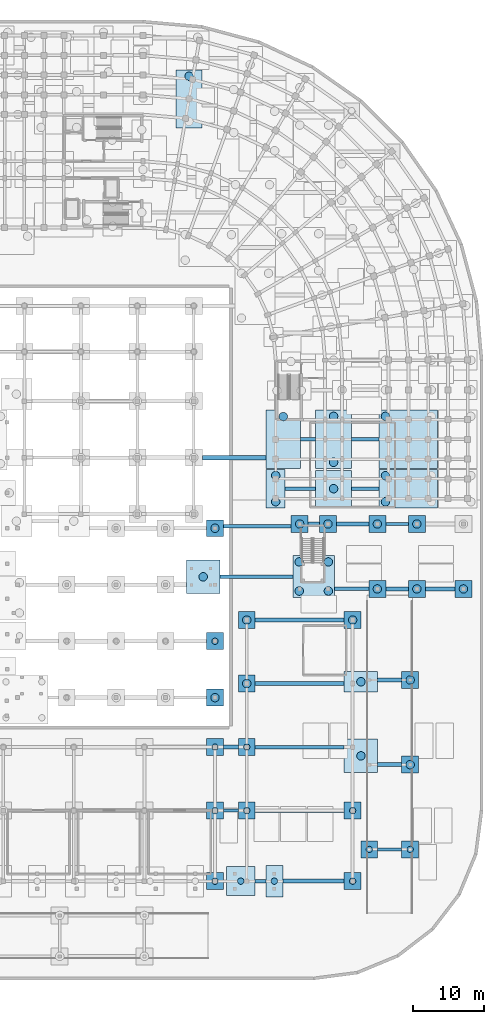
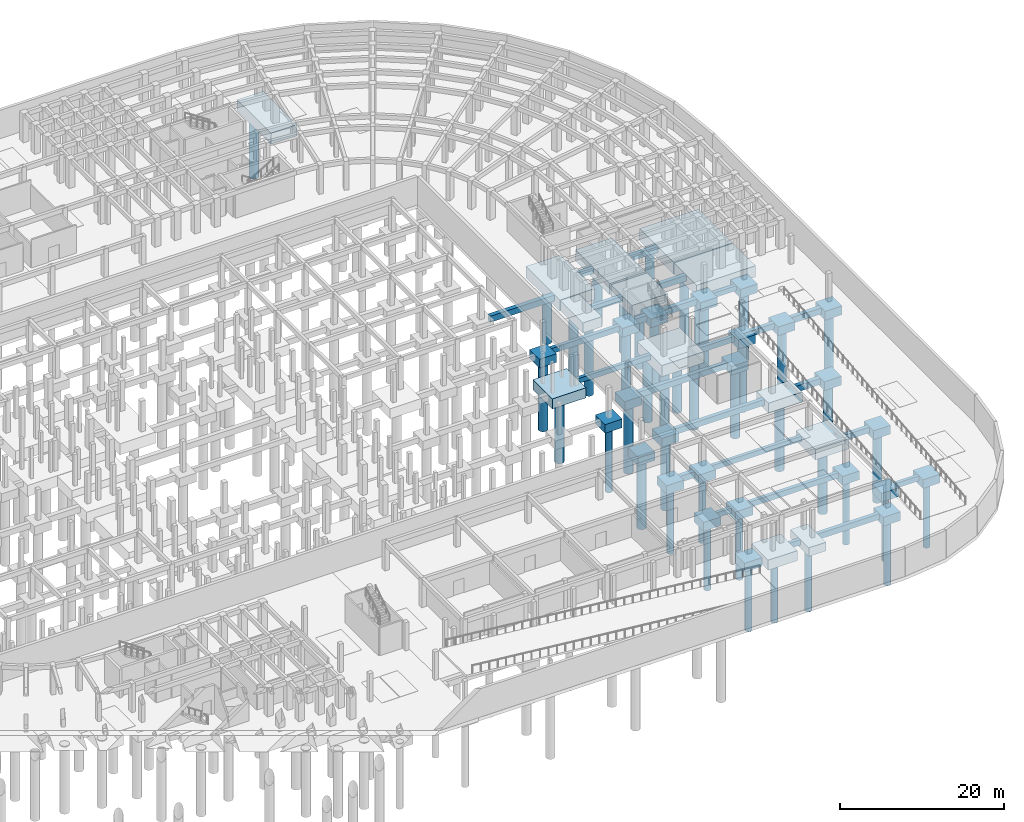
# One storey, part 10 of 53: 61 footings, 43 piles.
"""IFC4 building model written with IfcOpenShell, lengths in metres."""

from ifc_helpers import new_model, si_unit, direction, frame, origin, origin_2d, place, context, subcontext, project, spatial, rectangle, circle, extrude, material, material_profile, profile_set, type_object, element, save


model = new_model("IFC4")

# Units and contexts
model_context = context("Model", 3, precision=1e-05, world=origin(), true_north=direction((0.0, 1.0)))
body_context = subcontext(model_context, "Body", "Model", "MODEL_VIEW")
ifc_project = project(units=[si_unit("LENGTHUNIT", "METRE"), si_unit("AREAUNIT", "SQUARE_METRE"), si_unit("VOLUMEUNIT", "CUBIC_METRE"), si_unit("PLANEANGLEUNIT", "RADIAN"), si_unit("MASSUNIT", "GRAM", prefix="KILO")], contexts=[model_context])

# Site, building, storey
site_placement = place(None, origin())
site = spatial("IfcSite", under=ifc_project, at=site_placement, CompositionType="ELEMENT")
building_placement = place(site_placement, origin())
building = spatial("IfcBuilding", under=site, at=building_placement, Name="Kiranvali Square Residences", CompositionType="ELEMENT")
storey_placement = place(building_placement, frame((0.0, 0.0, -4.5)))
storey = spatial("IfcBuildingStorey", under=building, at=storey_placement, Name="B1", CompositionType="ELEMENT", Elevation=-4.5)

# Footings
ifc_material = material(Name="Concrete M40 (40 MPa)", Category="concrete")
footing_type_1 = type_object("IfcFootingType", Name="FTG-PILE_CAP-240x240x130", PredefinedType="PILE_CAP", material=ifc_material)
for number, where, z_axis, x_axis, name in (
    (1, (130.0, 14.0, -1.7998046875), (0.0, 0.0, 1.0), (1.0, 0.0, 0.0), "B1 pile cap 036"),
    (2, (149.5, 14.0, -1.7998046875), (0.0, 0.0, 1.0), (1.0, 0.0, 0.0), "B1 pile cap 037"),
    (3, (151.85009765625, 18.5, -1.7998046875), (0.0, 0.0, 1.0), (1.0, 0.0, 0.0), "B1 pile cap 043"),
    (4, (157.64990234375, 18.5, -1.7998046875), (0.0, 0.0, 1.0), (1.0, 0.0, 0.0), "B1 pile cap 044"),
    (5, (130.0, 24.0, -1.7998046875), (0.0, 0.0, 1.0), (1.0, 0.0, 0.0), "B1 pile cap 057"),
    (6, (134.5, 24.0, -1.7998046875), (0.0, 0.0, 1.0), (1.0, 0.0, 0.0), "B1 pile cap 058"),
    (7, (149.5, 24.0, -1.7998046875), (0.0, 0.0, 1.0), (1.0, 0.0, 0.0), "B1 pile cap 059"),
    (8, (157.64990234375, 30.5, -1.7998046875), (0.0, 0.0, 1.0), (1.0, 0.0, 0.0), "B1 pile cap 072"),
    (9, (130.0, 33.0, -1.7998046875), (0.0, 0.0, 1.0), (1.0, 0.0, 0.0), "B1 pile cap 079"),
    (10, (134.5, 33.0, -1.7998046875), (0.0, 0.0, 1.0), (1.0, 0.0, 0.0), "B1 pile cap 080"),
    (11, (130.0, 40.0, -1.7998046875), (0.0, 0.0, 1.0), (1.0, 0.0, 0.0), "B1 pile cap 099"),
    (12, (134.5, 42.0, -1.7998046875), (0.0, 0.0, 1.0), (1.0, 0.0, 0.0), "B1 pile cap 102"),
    (13, (157.64990234375, 42.5, -1.7998046875), (0.0, 0.0, 1.0), (1.0, 0.0, 0.0), "B1 pile cap 104"),
    (14, (130.0, 48.0, -1.7998046875), (0.0, 0.0, 1.0), (1.0, 0.0, 0.0), "B1 pile cap 113"),
    (15, (134.5, 51.0, -1.7998046875), (0.0, 0.0, 1.0), (1.0, 0.0, 0.0), "B1 pile cap 125"),
    (16, (149.5, 51.0, -1.7998046875), (0.0, 0.0, 1.0), (1.0, 0.0, 0.0), "B1 pile cap 126"),
    (17, (153.0, 55.39990234375, -1.7998046875), (0.0, 0.0, 1.0), (1.0, 0.0, 0.0), "B1 pile cap 137"),
    (18, (158.60009765625, 55.39990234375, -1.7998046875), (0.0, 0.0, 1.0), (1.0, 0.0, 0.0), "B1 pile cap 138"),
    (19, (165.199951171875, 55.39990234375, -1.7998046875), (0.0, 0.0, 1.0), (1.0, 0.0, 0.0), "B1 pile cap 139"),
    (20, (130.0, 64.0, -1.7998046875), (0.0, 0.0, 1.0), (1.0, 0.0, 0.0), "B1 pile cap 164"),
    (21, (142.0, 64.60009765625, -1.7998046875), (0.0, 0.0, 1.0), (1.0, 0.0, 0.0), "B1 pile cap 165"),
    (22, (146.0, 64.60009765625, -1.7998046875), (0.0, 0.0, 1.0), (1.0, 0.0, 0.0), "B1 pile cap 166"),
    (23, (153.0, 64.60009765625, -1.7998046875), (0.0, 0.0, 1.0), (1.0, 0.0, 0.0), "B1 pile cap 167"),
    (24, (158.60009765625, 64.60009765625, -1.7998046875), (0.0, 0.0, 1.0), (1.0, 0.0, 0.0), "B1 pile cap 168"),
):
    element("IfcFooting", number, at=place(storey_placement, frame(where, z_axis=z_axis, x_axis=x_axis)), inside=storey, type_object=footing_type_1, Name=name, PredefinedType="PILE_CAP", context=body_context, shape_type="SweptSolid", body=[
        extrude(rectangle(XDim=2.39990234375, YDim=2.39990234375, at=origin_2d()), origin(), (0.0, 0.0, 1.0), 1.300048828125),
    ])
footing_type_2 = type_object("IfcFootingType", Name="FTG-PILE_CAP-410x410x150", PredefinedType="PILE_CAP", material=ifc_material)
footing_1_placement = place(storey_placement, frame((133.64990234375, 14.0, -2.0), z_axis=(0.0, 0.0, 1.0), x_axis=(1.0, 0.0, 0.0)))
element("IfcFooting", 25, at=footing_1_placement, inside=storey, type_object=footing_type_2, Name="B1 pile cap 032", PredefinedType="PILE_CAP", context=body_context, shape_type="SweptSolid", body=[
    extrude(rectangle(XDim=4.10009765625, YDim=4.10009765625, at=origin_2d()), origin(), (0.0, 0.0, 1.0), 1.5),
])
footing_type_3 = type_object("IfcFootingType", Name="FTG-PILE_CAP-450x240x130", PredefinedType="PILE_CAP", material=ifc_material)
footing_2_placement = place(storey_placement, frame((138.39990234375, 14.0, -1.7998046875), z_axis=(0.0, 0.0, 1.0), x_axis=(0.0, 1.0, 0.0)))
element("IfcFooting", 26, at=footing_2_placement, inside=storey, type_object=footing_type_3, Name="B1 pile cap 033", PredefinedType="PILE_CAP", context=body_context, shape_type="SweptSolid", body=[
    extrude(rectangle(XDim=4.5, YDim=2.39990234375, at=origin_2d()), origin(), (0.0, 0.0, 1.0), 1.300048828125),
])
footing_type_4 = type_object("IfcFootingType", Name="FTG-PILE_CAP-473x473x150", PredefinedType="PILE_CAP", material=ifc_material)
footing_3_placement = place(storey_placement, frame((128.324951171875, 57.114990234375, -2.0), z_axis=(0.0, 0.0, 1.0), x_axis=(1.0, 0.0, 0.0)))
element("IfcFooting", 27, at=footing_3_placement, inside=storey, type_object=footing_type_4, Name="B1 pile cap 140", PredefinedType="PILE_CAP", context=body_context, shape_type="SweptSolid", body=[
    extrude(rectangle(XDim=4.72998046875, YDim=4.72998046875, at=origin_2d()), origin(), (0.0, 0.0, 1.0), 1.5),
])
footing_type_5 = type_object("IfcFootingType", Name="FTG-PILE_CAP-475x290x150", PredefinedType="PILE_CAP", material=ifc_material)
footing_4_placement = place(storey_placement, frame((150.675048828125, 42.25, -2.0), z_axis=(0.0, 0.0, 1.0), x_axis=(1.0, 0.0, 0.0)))
element("IfcFooting", 28, at=footing_4_placement, inside=storey, type_object=footing_type_5, Name="B1 pile cap 103", PredefinedType="PILE_CAP", context=body_context, shape_type="SweptSolid", body=[
    extrude(rectangle(XDim=4.75, YDim=2.89990234375, at=origin_2d()), origin(), (0.0, 0.0, 1.0), 1.5),
])
footing_type_6 = type_object("IfcFootingType", Name="FTG-PILE_CAP-475x475x150", PredefinedType="PILE_CAP", material=ifc_material)
footing_5_placement = place(storey_placement, frame((150.675048828125, 31.75, -2.0), z_axis=(0.0, 0.0, 1.0), x_axis=(1.0, 0.0, 0.0)))
element("IfcFooting", 29, at=footing_5_placement, inside=storey, type_object=footing_type_6, Name="B1 pile cap 071", PredefinedType="PILE_CAP", context=body_context, shape_type="SweptSolid", body=[
    extrude(rectangle(XDim=4.75, YDim=4.75, at=origin_2d()), origin(), (0.0, 0.0, 1.0), 1.5),
])
footing_type_7 = type_object("IfcFootingType", Name="FTG-PILE_CAP-510x510x165", PredefinedType="PILE_CAP", material=ifc_material)
footing_6_placement = place(storey_placement, frame((146.800048828125, 69.60009765625, -2.14990234375), z_axis=(0.0, 0.0, 1.0), x_axis=(1.0, 0.0, 0.0)))
element("IfcFooting", 30, at=footing_6_placement, inside=storey, type_object=footing_type_7, Name="B1 pile cap 176", PredefinedType="PILE_CAP", context=body_context, shape_type="SweptSolid", body=[
    extrude(rectangle(XDim=5.10009765625, YDim=5.10009765625, at=origin_2d()), origin(), (0.0, 0.0, 1.0), 1.64990234375),
])
footing_type_8 = type_object("IfcFootingType", Name="FTG-PILE_CAP-550x270x150", PredefinedType="PILE_CAP", material=ifc_material)
footing_7_placement = place(storey_placement, frame((138.60009765625, 69.60009765625, -2.0), z_axis=(0.0, 0.0, 1.0), x_axis=(0.0, 1.0, 0.0)))
element("IfcFooting", 31, at=footing_7_placement, inside=storey, type_object=footing_type_8, Name="B1 pile cap 175", PredefinedType="PILE_CAP", context=body_context, shape_type="SweptSolid", body=[
    extrude(rectangle(XDim=5.5, YDim=2.699951171875, at=origin_2d()), origin(), (0.0, 0.0, 1.0), 1.5),
])
footing_type_9 = type_object("IfcFootingType", Name="FTG-PILE_CAP-593x593x165", PredefinedType="PILE_CAP", material=ifc_material)
footing_8_placement = place(storey_placement, frame((144.0, 57.1650390625, -2.14990234375), z_axis=(0.0, 0.0, 1.0), x_axis=(1.0, 0.0, 0.0)))
element("IfcFooting", 32, at=footing_8_placement, inside=storey, type_object=footing_type_9, Name="B1 pile cap 136", PredefinedType="PILE_CAP", context=body_context, shape_type="SweptSolid", body=[
    extrude(rectangle(XDim=5.929931640625, YDim=5.929931640625, at=origin_2d()), origin(), (0.0, 0.0, 1.0), 1.64990234375),
])
footing_type_10 = type_object("IfcFootingType", Name="FTG-PILE_CAP-821x367x165", PredefinedType="PILE_CAP", material=ifc_material)
footing_9_placement = place(storey_placement, frame((126.3291015625, 124.82861328125, -2.14990234375), z_axis=(0.0, 0.0, 1.0), x_axis=(0.0, 1.0, 0.0)))
element("IfcFooting", 33, at=footing_9_placement, inside=storey, type_object=footing_type_10, Name="B1 pile cap 330", PredefinedType="PILE_CAP", context=body_context, shape_type="SweptSolid", body=[
    extrude(rectangle(XDim=8.215087890625, YDim=3.672119140625, at=origin_2d()), origin(), (0.0, 0.0, 1.0), 1.64990234375),
])
footing_type_11 = type_object("IfcFootingType", Name="FTG-PILE_CAP-828x485x165", PredefinedType="PILE_CAP", material=ifc_material)
footing_10_placement = place(storey_placement, frame((139.675048828125, 76.58740234375, -2.14990234375), z_axis=(0.0, 0.0, 1.0), x_axis=(0.0, 1.0, 0.0)))
element("IfcFooting", 34, at=footing_10_placement, inside=storey, type_object=footing_type_11, Name="B1 pile cap 192", PredefinedType="PILE_CAP", context=body_context, shape_type="SweptSolid", body=[
    extrude(rectangle(XDim=8.27490234375, YDim=4.85009765625, at=origin_2d()), origin(), (0.0, 0.0, 1.0), 1.64990234375),
])
footing_type_12 = type_object("IfcFootingType", Name="FTG-PILE_CAP-830x510x165", PredefinedType="PILE_CAP", material=ifc_material)
footing_11_placement = place(storey_placement, frame((146.800048828125, 76.60009765625, -2.14990234375), z_axis=(0.0, 0.0, 1.0), x_axis=(0.0, 1.0, 0.0)))
element("IfcFooting", 35, at=footing_11_placement, inside=storey, type_object=footing_type_12, Name="B1 pile cap 193", PredefinedType="PILE_CAP", context=body_context, shape_type="SweptSolid", body=[
    extrude(rectangle(XDim=8.300048828125, YDim=5.10009765625, at=origin_2d()), origin(), (0.0, 0.0, 1.0), 1.64990234375),
])
footing_type_13 = type_object("IfcFootingType", Name="FTG-PILE_CAP-830x550x165", PredefinedType="PILE_CAP", material=ifc_material)
footing_12_placement = place(storey_placement, frame((157.39990234375, 69.60009765625, -2.14990234375), z_axis=(0.0, 0.0, 1.0), x_axis=(1.0, 0.0, 0.0)))
element("IfcFooting", 36, at=footing_12_placement, inside=storey, type_object=footing_type_13, Name="B1 pile cap 177", PredefinedType="PILE_CAP", context=body_context, shape_type="SweptSolid", body=[
    extrude(rectangle(XDim=8.300048828125, YDim=5.5, at=origin_2d()), origin(), (0.0, 0.0, 1.0), 1.64990234375),
])
footing_type_14 = type_object("IfcFootingType", Name="FTG-PILE_CAP-830x830x180", PredefinedType="PILE_CAP", material=ifc_material)
footing_13_placement = place(storey_placement, frame((157.39990234375, 76.60009765625, -2.2998046875), z_axis=(0.0, 0.0, 1.0), x_axis=(1.0, 0.0, 0.0)))
element("IfcFooting", 37, at=footing_13_placement, inside=storey, type_object=footing_type_14, Name="B1 pile cap 194", PredefinedType="PILE_CAP", context=body_context, shape_type="SweptSolid", body=[
    extrude(rectangle(XDim=8.300048828125, YDim=8.300048828125, at=origin_2d()), origin(), (0.0, 0.0, 1.0), 1.800048828125),
])
ifc_material_profile_1 = material_profile(ifc_material, rectangle(XDim=0.449951171875, YDim=0.75, at=origin_2d()), Name="GB 450x750")
ifc_profile_set_1 = profile_set([ifc_material_profile_1], Name="Concrete M40 (40 MPa)")
footing_type_15 = type_object("IfcFootingType", Name="GB-M40-450x750", PredefinedType="FOOTING_BEAM", material=ifc_profile_set_1)
footing_14_placement = place(storey_placement, frame((153.050048828125, 18.5, -0.875), z_axis=(1.0, 0.0, 0.0), x_axis=(0.0, 1.0, 0.0)))
element("IfcFooting", 38, at=footing_14_placement, inside=storey, type_object=footing_type_15, Name="Continuous foundation ground beam GB-036", PredefinedType="FOOTING_BEAM", context=body_context, shape_type="SweptSolid", body=[
    extrude(rectangle(XDim=0.449951171875, YDim=0.75, at=origin_2d()), origin(), (0.0, 0.0, 1.0), 3.39990234375),
])
footing_15_placement = place(storey_placement, frame((131.199951171875, 24.0, -0.875), z_axis=(1.0, 0.0, 0.0), x_axis=(0.0, 1.0, 0.0)))
element("IfcFooting", 39, at=footing_15_placement, inside=storey, type_object=footing_type_15, Name="Continuous foundation ground beam GB-048", PredefinedType="FOOTING_BEAM", context=body_context, shape_type="SweptSolid", body=[
    extrude(rectangle(XDim=0.449951171875, YDim=0.75, at=origin_2d()), origin(), (0.0, 0.0, 1.0), 2.10009765625),
])
footing_16_placement = place(storey_placement, frame((135.699951171875, 32.96240234375, -0.875), z_axis=(1.0, 0.0, 0.0), x_axis=(0.0, 1.0, 0.0)))
element("IfcFooting", 40, at=footing_16_placement, inside=storey, type_object=footing_type_15, Name="Continuous foundation ground beam GB-064", PredefinedType="FOOTING_BEAM", context=body_context, shape_type="SweptSolid", body=[
    extrude(rectangle(XDim=0.449951171875, YDim=0.75, at=origin_2d()), origin(), (0.0, 0.0, 1.0), 12.60009765625),
])
footing_17_placement = place(storey_placement, frame((130.68994140625, 57.114990234375, -0.875), z_axis=(1.0, 0.0, 0.0), x_axis=(0.0, 1.0, 0.0)))
element("IfcFooting", 41, at=footing_17_placement, inside=storey, type_object=footing_type_15, Name="Continuous foundation ground beam GB-108", PredefinedType="FOOTING_BEAM", context=body_context, shape_type="SweptSolid", body=[
    extrude(rectangle(XDim=0.449951171875, YDim=0.75, at=origin_2d()), origin(), (0.0, 0.0, 1.0), 10.344970703125),
])
footing_18_placement = place(storey_placement, frame((154.199951171875, 64.60009765625, -0.875), z_axis=(1.0, 0.0, 0.0), x_axis=(0.0, 1.0, 0.0)))
element("IfcFooting", 42, at=footing_18_placement, inside=storey, type_object=footing_type_15, Name="Continuous foundation ground beam GB-132", PredefinedType="FOOTING_BEAM", context=body_context, shape_type="SweptSolid", body=[
    extrude(rectangle(XDim=0.449951171875, YDim=0.75, at=origin_2d()), origin(), (0.0, 0.0, 1.0), 3.199951171875),
])
ifc_material_profile_2 = material_profile(ifc_material, rectangle(XDim=0.5, YDim=0.800048828125, at=origin_2d()), Name="GB 500x800")
ifc_profile_set_2 = profile_set([ifc_material_profile_2], Name="Concrete M40 (40 MPa)")
footing_type_16 = type_object("IfcFootingType", Name="GB-M40-500x800", PredefinedType="FOOTING_BEAM", material=ifc_profile_set_2)
footing_19_placement = place(storey_placement, frame((135.699951171875, 14.0, -0.89990234375), z_axis=(1.0, 0.0, 0.0), x_axis=(0.0, 1.0, 0.0)))
element("IfcFooting", 43, at=footing_19_placement, inside=storey, type_object=footing_type_16, Name="Continuous foundation ground beam GB-029", PredefinedType="FOOTING_BEAM", context=body_context, shape_type="SweptSolid", body=[
    extrude(rectangle(XDim=0.5, YDim=0.800048828125, at=origin_2d()), origin(), (0.0, 0.0, 1.0), 1.5),
])
footing_20_placement = place(storey_placement, frame((135.699951171875, 24.0, -0.89990234375), z_axis=(1.0, 0.0, 0.0), x_axis=(0.0, 1.0, 0.0)))
element("IfcFooting", 44, at=footing_20_placement, inside=storey, type_object=footing_type_16, Name="Continuous foundation ground beam GB-049", PredefinedType="FOOTING_BEAM", context=body_context, shape_type="SweptSolid", body=[
    extrude(rectangle(XDim=0.5, YDim=0.800048828125, at=origin_2d()), origin(), (0.0, 0.0, 1.0), 12.60009765625),
])
footing_21_placement = place(storey_placement, frame((146.965087890625, 55.39990234375, -0.89990234375), z_axis=(1.0, 0.0, 0.0), x_axis=(0.0, 1.0, 0.0)))
element("IfcFooting", 45, at=footing_21_placement, inside=storey, type_object=footing_type_16, Name="Continuous foundation ground beam GB-105", PredefinedType="FOOTING_BEAM", context=body_context, shape_type="SweptSolid", body=[
    extrude(rectangle(XDim=0.5, YDim=0.800048828125, at=origin_2d()), origin(), (0.0, 0.0, 1.0), 4.8349609375),
])
footing_22_placement = place(storey_placement, frame((131.199951171875, 64.300048828125, -0.89990234375), z_axis=(1.0, 0.0, 0.0), x_axis=(0.0, 1.0, 0.0)))
element("IfcFooting", 46, at=footing_22_placement, inside=storey, type_object=footing_type_16, Name="Continuous foundation ground beam GB-129", PredefinedType="FOOTING_BEAM", context=body_context, shape_type="SweptSolid", body=[
    extrude(rectangle(XDim=0.5, YDim=0.800048828125, at=origin_2d()), origin(), (0.0, 0.0, 1.0), 9.60009765625),
])
footing_23_placement = place(storey_placement, frame((139.949951171875, 69.60009765625, -0.89990234375), z_axis=(1.0, 0.0, 0.0), x_axis=(0.0, 1.0, 0.0)))
element("IfcFooting", 47, at=footing_23_placement, inside=storey, type_object=footing_type_16, Name="Continuous foundation ground beam GB-137", PredefinedType="FOOTING_BEAM", context=body_context, shape_type="SweptSolid", body=[
    extrude(rectangle(XDim=0.5, YDim=0.800048828125, at=origin_2d()), origin(), (0.0, 0.0, 1.0), 4.300048828125),
])
footing_24_placement = place(storey_placement, frame((142.10009765625, 76.58740234375, -0.89990234375), z_axis=(1.0, 0.0, 0.0), x_axis=(0.0, 1.0, 0.0)))
element("IfcFooting", 48, at=footing_24_placement, inside=storey, type_object=footing_type_16, Name="Continuous foundation ground beam GB-149", PredefinedType="FOOTING_BEAM", context=body_context, shape_type="SweptSolid", body=[
    extrude(rectangle(XDim=0.5, YDim=0.800048828125, at=origin_2d()), origin(), (0.0, 0.0, 1.0), 2.14990234375),
])
ifc_material_profile_3 = material_profile(ifc_material, rectangle(XDim=0.550048828125, YDim=0.85009765625, at=origin_2d()), Name="GB 550x850")
ifc_profile_set_3 = profile_set([ifc_material_profile_3], Name="Concrete M40 (40 MPa)")
footing_type_17 = type_object("IfcFootingType", Name="GB-M40-550x850", PredefinedType="FOOTING_BEAM", material=ifc_profile_set_3)
footing_25_placement = place(storey_placement, frame((139.60009765625, 14.0, -0.925048828125), z_axis=(1.0, 0.0, 0.0), x_axis=(0.0, 1.0, 0.0)))
element("IfcFooting", 49, at=footing_25_placement, inside=storey, type_object=footing_type_17, Name="Continuous foundation ground beam GB-030", PredefinedType="FOOTING_BEAM", context=body_context, shape_type="SweptSolid", body=[
    extrude(rectangle(XDim=0.550048828125, YDim=0.85009765625, at=origin_2d()), origin(), (0.0, 0.0, 1.0), 8.699951171875),
])
footing_26_placement = place(storey_placement, frame((153.050048828125, 30.53759765625, -0.925048828125), z_axis=(1.0, 0.0, 0.0), x_axis=(0.0, 1.0, 0.0)))
element("IfcFooting", 50, at=footing_26_placement, inside=storey, type_object=footing_type_17, Name="Continuous foundation ground beam GB-058", PredefinedType="FOOTING_BEAM", context=body_context, shape_type="SweptSolid", body=[
    extrude(rectangle(XDim=0.550048828125, YDim=0.85009765625, at=origin_2d()), origin(), (0.0, 0.0, 1.0), 3.39990234375),
])
for number, where, z_axis, x_axis, name in (
    (51, (135.699951171875, 42.0, -0.925048828125), (1.0, 0.0, 0.0), (0.0, 1.0, 0.0), "Continuous foundation ground beam GB-082"),
    (52, (135.699951171875, 51.0, -0.925048828125), (1.0, 0.0, 0.0), (0.0, 1.0, 0.0), "Continuous foundation ground beam GB-098"),
):
    element("IfcFooting", number, at=place(storey_placement, frame(where, z_axis=z_axis, x_axis=x_axis)), inside=storey, type_object=footing_type_17, Name=name, PredefinedType="FOOTING_BEAM", context=body_context, shape_type="SweptSolid", body=[
        extrude(rectangle(XDim=0.550048828125, YDim=0.85009765625, at=origin_2d()), origin(), (0.0, 0.0, 1.0), 12.60009765625),
    ])
footing_27_placement = place(storey_placement, frame((154.199951171875, 55.39990234375, -0.925048828125), z_axis=(1.0, 0.0, 0.0), x_axis=(0.0, 1.0, 0.0)))
element("IfcFooting", 53, at=footing_27_placement, inside=storey, type_object=footing_type_17, Name="Continuous foundation ground beam GB-106", PredefinedType="FOOTING_BEAM", context=body_context, shape_type="SweptSolid", body=[
    extrude(rectangle(XDim=0.550048828125, YDim=0.85009765625, at=origin_2d()), origin(), (0.0, 0.0, 1.0), 3.199951171875),
])
footing_28_placement = place(storey_placement, frame((143.199951171875, 64.60009765625, -0.925048828125), z_axis=(1.0, 0.0, 0.0), x_axis=(0.0, 1.0, 0.0)))
element("IfcFooting", 54, at=footing_28_placement, inside=storey, type_object=footing_type_17, Name="Continuous foundation ground beam GB-130", PredefinedType="FOOTING_BEAM", context=body_context, shape_type="SweptSolid", body=[
    extrude(rectangle(XDim=0.550048828125, YDim=0.85009765625, at=origin_2d()), origin(), (0.0, 0.0, 1.0), 1.60009765625),
])
for number, where, z_axis, x_axis, name in (
    (55, (149.35009765625, 69.60009765625, -0.925048828125), (1.0, 0.0, 0.0), (0.0, 1.0, 0.0), "Continuous foundation ground beam GB-138"),
    (56, (149.35009765625, 76.60009765625, -0.925048828125), (1.0, 0.0, 0.0), (0.0, 1.0, 0.0), "Continuous foundation ground beam GB-150"),
):
    element("IfcFooting", number, at=place(storey_placement, frame(where, z_axis=z_axis, x_axis=x_axis)), inside=storey, type_object=footing_type_17, Name=name, PredefinedType="FOOTING_BEAM", context=body_context, shape_type="SweptSolid", body=[
        extrude(rectangle(XDim=0.550048828125, YDim=0.85009765625, at=origin_2d()), origin(), (0.0, 0.0, 1.0), 3.89990234375),
    ])
ifc_material_profile_4 = material_profile(ifc_material, rectangle(XDim=0.60009765625, YDim=0.89990234375, at=origin_2d()), Name="GB 600x900")
ifc_profile_set_4 = profile_set([ifc_material_profile_4], Name="Concrete M40 (40 MPa)")
footing_type_18 = type_object("IfcFootingType", Name="GB-M40-600x900", PredefinedType="FOOTING_BEAM", material=ifc_profile_set_4)
footing_29_placement = place(storey_placement, frame((131.199951171875, 33.0, -0.949951171875), z_axis=(1.0, 0.0, 0.0), x_axis=(0.0, 1.0, 0.0)))
element("IfcFooting", 57, at=footing_29_placement, inside=storey, type_object=footing_type_18, Name="Continuous foundation ground beam GB-063", PredefinedType="FOOTING_BEAM", context=body_context, shape_type="SweptSolid", body=[
    extrude(rectangle(XDim=0.60009765625, YDim=0.89990234375, at=origin_2d()), origin(), (0.0, 0.0, 1.0), 2.10009765625),
])
footing_30_placement = place(storey_placement, frame((153.050048828125, 42.5, -0.949951171875), z_axis=(1.0, 0.0, 0.0), x_axis=(0.0, 1.0, 0.0)))
element("IfcFooting", 58, at=footing_30_placement, inside=storey, type_object=footing_type_18, Name="Continuous foundation ground beam GB-083", PredefinedType="FOOTING_BEAM", context=body_context, shape_type="SweptSolid", body=[
    extrude(rectangle(XDim=0.60009765625, YDim=0.89990234375, at=origin_2d()), origin(), (0.0, 0.0, 1.0), 3.39990234375),
])
footing_31_placement = place(storey_placement, frame((159.800048828125, 55.39990234375, -0.949951171875), z_axis=(1.0, 0.0, 0.0), x_axis=(0.0, 1.0, 0.0)))
element("IfcFooting", 59, at=footing_31_placement, inside=storey, type_object=footing_type_18, Name="Continuous foundation ground beam GB-107", PredefinedType="FOOTING_BEAM", context=body_context, shape_type="SweptSolid", body=[
    extrude(rectangle(XDim=0.60009765625, YDim=0.89990234375, at=origin_2d()), origin(), (0.0, 0.0, 1.0), 4.199951171875),
])
footing_32_placement = place(storey_placement, frame((147.199951171875, 64.60009765625, -0.949951171875), z_axis=(1.0, 0.0, 0.0), x_axis=(0.0, 1.0, 0.0)))
element("IfcFooting", 60, at=footing_32_placement, inside=storey, type_object=footing_type_18, Name="Continuous foundation ground beam GB-131", PredefinedType="FOOTING_BEAM", context=body_context, shape_type="SweptSolid", body=[
    extrude(rectangle(XDim=0.60009765625, YDim=0.89990234375, at=origin_2d()), origin(), (0.0, 0.0, 1.0), 4.60009765625),
])
footing_33_placement = place(storey_placement, frame((128.199951171875, 74.0, -0.949951171875), z_axis=(1.0, 0.0, 0.0), x_axis=(0.0, 1.0, 0.0)))
element("IfcFooting", 61, at=footing_33_placement, inside=storey, type_object=footing_type_18, Name="Continuous foundation ground beam GB-155", PredefinedType="FOOTING_BEAM", context=body_context, shape_type="SweptSolid", body=[
    extrude(rectangle(XDim=0.60009765625, YDim=0.89990234375, at=origin_2d()), origin(), (0.0, 0.0, 1.0), 9.050048828125),
])

# Piles
ifc_material_profile_5 = material_profile(ifc_material, circle(Radius=0.60009765625, at=origin_2d()), Name="BORED PILE 1200")
ifc_profile_set_5 = profile_set([ifc_material_profile_5], Name="Concrete M40 (40 MPa)")
pile_type_1 = type_object("IfcPileType", Name="PILE-BORED-1200", PredefinedType="BORED", material=ifc_profile_set_5)
pile_1_placement = place(storey_placement, frame((150.675048828125, 31.75, -1.89990234375), z_axis=(0.0, 0.0, -1.0), x_axis=(1.0, 0.0, 0.0)))
element("IfcPile", 62, at=pile_1_placement, inside=storey, type_object=pile_type_1, Name="Bored basalt-socketed pile P-0097", PredefinedType="BORED", context=body_context, shape_type="SweptSolid", body=[
    extrude(circle(Radius=0.60009765625, at=origin_2d()), origin(), (0.0, 0.0, 1.0), 10.10009765625),
])
for number, where, z_axis, x_axis, name in (
    (63, (157.64990234375, 30.5, -1.699951171875), (0.0, 0.0, -1.0), (1.0, 0.0, 0.0), "Bored basalt-socketed pile P-0098"),
    (64, (130.0, 40.0, -1.699951171875), (0.0, 0.0, -1.0), (1.0, 0.0, 0.0), "Bored basalt-socketed pile P-0142"),
    (65, (134.5, 42.0, -1.699951171875), (0.0, 0.0, -1.0), (1.0, 0.0, 0.0), "Bored basalt-socketed pile P-0146"),
):
    element("IfcPile", number, at=place(storey_placement, frame(where, z_axis=z_axis, x_axis=x_axis)), inside=storey, type_object=pile_type_1, Name=name, PredefinedType="BORED", context=body_context, shape_type="SweptSolid", body=[
        extrude(circle(Radius=0.60009765625, at=origin_2d()), origin(), (0.0, 0.0, 1.0), 10.300048828125),
    ])
pile_2_placement = place(storey_placement, frame((150.675048828125, 42.25, -1.89990234375), z_axis=(0.0, 0.0, -1.0), x_axis=(1.0, 0.0, 0.0)))
element("IfcPile", 66, at=pile_2_placement, inside=storey, type_object=pile_type_1, Name="Bored basalt-socketed pile P-0147", PredefinedType="BORED", context=body_context, shape_type="SweptSolid", body=[
    extrude(circle(Radius=0.60009765625, at=origin_2d()), origin(), (0.0, 0.0, 1.0), 10.10009765625),
])
for number, where, z_axis, x_axis, name in (
    (67, (157.64990234375, 42.5, -1.699951171875), (0.0, 0.0, -1.0), (1.0, 0.0, 0.0), "Bored basalt-socketed pile P-0148"),
    (68, (134.5, 51.0, -1.699951171875), (0.0, 0.0, -1.0), (1.0, 0.0, 0.0), "Bored basalt-socketed pile P-0169"),
    (69, (149.5, 51.0, -1.699951171875), (0.0, 0.0, -1.0), (1.0, 0.0, 0.0), "Bored basalt-socketed pile P-0170"),
):
    element("IfcPile", number, at=place(storey_placement, frame(where, z_axis=z_axis, x_axis=x_axis)), inside=storey, type_object=pile_type_1, Name=name, PredefinedType="BORED", context=body_context, shape_type="SweptSolid", body=[
        extrude(circle(Radius=0.60009765625, at=origin_2d()), origin(), (0.0, 0.0, 1.0), 10.300048828125),
    ])
for number, where, z_axis, x_axis, name in (
    (70, (141.93505859375, 55.10009765625, -2.050048828125), (0.0, 0.0, -1.0), (1.0, 0.0, 0.0), "Bored basalt-socketed pile P-0187"),
    (71, (141.93505859375, 59.22998046875, -2.050048828125), (0.0, 0.0, -1.0), (1.0, 0.0, 0.0), "Bored basalt-socketed pile P-0188"),
    (72, (146.06494140625, 55.10009765625, -2.050048828125), (0.0, 0.0, -1.0), (1.0, 0.0, 0.0), "Bored basalt-socketed pile P-0189"),
    (73, (146.06494140625, 59.22998046875, -2.050048828125), (0.0, 0.0, -1.0), (1.0, 0.0, 0.0), "Bored basalt-socketed pile P-0190"),
):
    element("IfcPile", number, at=place(storey_placement, frame(where, z_axis=z_axis, x_axis=x_axis)), inside=storey, type_object=pile_type_1, Name=name, PredefinedType="BORED", context=body_context, shape_type="SweptSolid", body=[
        extrude(circle(Radius=0.60009765625, at=origin_2d()), origin(), (0.0, 0.0, 1.0), 9.949951171875),
    ])
for number, where, z_axis, x_axis, name in (
    (74, (153.0, 55.39990234375, -1.699951171875), (0.0, 0.0, -1.0), (1.0, 0.0, 0.0), "Bored basalt-socketed pile P-0191"),
    (75, (158.60009765625, 55.39990234375, -1.699951171875), (0.0, 0.0, -1.0), (1.0, 0.0, 0.0), "Bored basalt-socketed pile P-0192"),
    (76, (165.199951171875, 55.39990234375, -1.699951171875), (0.0, 0.0, -1.0), (1.0, 0.0, 0.0), "Bored basalt-socketed pile P-0193"),
):
    element("IfcPile", number, at=place(storey_placement, frame(where, z_axis=z_axis, x_axis=x_axis)), inside=storey, type_object=pile_type_1, Name=name, PredefinedType="BORED", context=body_context, shape_type="SweptSolid", body=[
        extrude(circle(Radius=0.60009765625, at=origin_2d()), origin(), (0.0, 0.0, 1.0), 10.300048828125),
    ])
pile_3_placement = place(storey_placement, frame((128.324951171875, 57.114990234375, -1.89990234375), z_axis=(0.0, 0.0, -1.0), x_axis=(1.0, 0.0, 0.0)))
element("IfcPile", 77, at=pile_3_placement, inside=storey, type_object=pile_type_1, Name="Bored basalt-socketed pile P-0194", PredefinedType="BORED", context=body_context, shape_type="SweptSolid", body=[
    extrude(circle(Radius=0.60009765625, at=origin_2d()), origin(), (0.0, 0.0, 1.0), 10.10009765625),
])
for number, where, z_axis, x_axis, name in (
    (78, (130.0, 64.0, -1.699951171875), (0.0, 0.0, -1.0), (1.0, 0.0, 0.0), "Bored basalt-socketed pile P-0224"),
    (79, (142.0, 64.60009765625, -1.699951171875), (0.0, 0.0, -1.0), (1.0, 0.0, 0.0), "Bored basalt-socketed pile P-0225"),
    (80, (146.0, 64.60009765625, -1.699951171875), (0.0, 0.0, -1.0), (1.0, 0.0, 0.0), "Bored basalt-socketed pile P-0226"),
    (81, (153.0, 64.60009765625, -1.699951171875), (0.0, 0.0, -1.0), (1.0, 0.0, 0.0), "Bored basalt-socketed pile P-0227"),
    (82, (158.60009765625, 64.60009765625, -1.699951171875), (0.0, 0.0, -1.0), (1.0, 0.0, 0.0), "Bored basalt-socketed pile P-0228"),
):
    element("IfcPile", number, at=place(storey_placement, frame(where, z_axis=z_axis, x_axis=x_axis)), inside=storey, type_object=pile_type_1, Name=name, PredefinedType="BORED", context=body_context, shape_type="SweptSolid", body=[
        extrude(circle(Radius=0.60009765625, at=origin_2d()), origin(), (0.0, 0.0, 1.0), 10.300048828125),
    ])
for number, where, z_axis, x_axis, name in (
    (83, (138.60009765625, 67.75, -1.89990234375), (0.0, 0.0, -1.0), (1.0, 0.0, 0.0), "Bored basalt-socketed pile P-0235"),
    (84, (138.60009765625, 71.449951171875, -1.89990234375), (0.0, 0.0, -1.0), (1.0, 0.0, 0.0), "Bored basalt-socketed pile P-0236"),
):
    element("IfcPile", number, at=place(storey_placement, frame(where, z_axis=z_axis, x_axis=x_axis)), inside=storey, type_object=pile_type_1, Name=name, PredefinedType="BORED", context=body_context, shape_type="SweptSolid", body=[
        extrude(circle(Radius=0.60009765625, at=origin_2d()), origin(), (0.0, 0.0, 1.0), 10.10009765625),
    ])
for number, where, z_axis, x_axis, name in (
    (85, (146.800048828125, 69.60009765625, -2.050048828125), (0.0, 0.0, -1.0), (1.0, 0.0, 0.0), "Bored basalt-socketed pile P-0237"),
    (86, (154.14990234375, 67.75, -2.050048828125), (0.0, 0.0, -1.0), (1.0, 0.0, 0.0), "Bored basalt-socketed pile P-0238"),
    (87, (154.14990234375, 71.449951171875, -2.050048828125), (0.0, 0.0, -1.0), (1.0, 0.0, 0.0), "Bored basalt-socketed pile P-0239"),
    (88, (139.675048828125, 79.824951171875, -2.050048828125), (0.0, 0.0, -1.0), (1.0, 0.0, 0.0), "Bored basalt-socketed pile P-0270"),
    (89, (146.800048828125, 73.35009765625, -2.050048828125), (0.0, 0.0, -1.0), (1.0, 0.0, 0.0), "Bored basalt-socketed pile P-0271"),
    (90, (146.800048828125, 79.85009765625, -2.050048828125), (0.0, 0.0, -1.0), (1.0, 0.0, 0.0), "Bored basalt-socketed pile P-0272"),
):
    element("IfcPile", number, at=place(storey_placement, frame(where, z_axis=z_axis, x_axis=x_axis)), inside=storey, type_object=pile_type_1, Name=name, PredefinedType="BORED", context=body_context, shape_type="SweptSolid", body=[
        extrude(circle(Radius=0.60009765625, at=origin_2d()), origin(), (0.0, 0.0, 1.0), 9.949951171875),
    ])
pile_4_placement = place(storey_placement, frame((154.14990234375, 79.85009765625, -2.199951171875), z_axis=(0.0, 0.0, -1.0), x_axis=(1.0, 0.0, 0.0)))
element("IfcPile", 91, at=pile_4_placement, inside=storey, type_object=pile_type_1, Name="Bored basalt-socketed pile P-0273", PredefinedType="BORED", context=body_context, shape_type="SweptSolid", body=[
    extrude(circle(Radius=0.60009765625, at=origin_2d()), origin(), (0.0, 0.0, 1.0), 9.800048828125),
])
pile_5_placement = place(storey_placement, frame((126.3291015625, 128.035888671875, -2.050048828125), z_axis=(0.0, 0.0, -1.0), x_axis=(1.0, 0.0, 0.0)))
element("IfcPile", 92, at=pile_5_placement, inside=storey, type_object=pile_type_1, Name="Bored basalt-socketed pile P-0458", PredefinedType="BORED", context=body_context, shape_type="SweptSolid", body=[
    extrude(circle(Radius=0.60009765625, at=origin_2d()), origin(), (0.0, 0.0, 1.0), 9.949951171875),
])
ifc_material_profile_6 = material_profile(ifc_material, circle(Radius=0.449951171875, at=origin_2d()), Name="BORED PILE 900")
ifc_profile_set_6 = profile_set([ifc_material_profile_6], Name="Concrete M40 (40 MPa)")
pile_type_2 = type_object("IfcPileType", Name="PILE-BORED-900", PredefinedType="BORED", material=ifc_profile_set_6)
pile_6_placement = place(storey_placement, frame((133.64990234375, 14.0, -1.89990234375), z_axis=(0.0, 0.0, -1.0), x_axis=(1.0, 0.0, 0.0)))
element("IfcPile", 93, at=pile_6_placement, inside=storey, type_object=pile_type_2, Name="Bored basalt-socketed pile P-0043", PredefinedType="BORED", context=body_context, shape_type="SweptSolid", body=[
    extrude(circle(Radius=0.449951171875, at=origin_2d()), origin(), (0.0, 0.0, 1.0), 9.60009765625),
])
for number, where, z_axis, x_axis, name in (
    (94, (138.39990234375, 14.0, -1.699951171875), (0.0, 0.0, -1.0), (1.0, 0.0, 0.0), "Bored basalt-socketed pile P-0044"),
    (95, (130.0, 14.0, -1.699951171875), (0.0, 0.0, -1.0), (1.0, 0.0, 0.0), "Bored basalt-socketed pile P-0048"),
    (96, (149.5, 14.0, -1.699951171875), (0.0, 0.0, -1.0), (1.0, 0.0, 0.0), "Bored basalt-socketed pile P-0049"),
    (97, (151.85009765625, 18.5, -1.699951171875), (0.0, 0.0, -1.0), (1.0, 0.0, 0.0), "Bored basalt-socketed pile P-0060"),
    (98, (157.64990234375, 18.5, -1.699951171875), (0.0, 0.0, -1.0), (1.0, 0.0, 0.0), "Bored basalt-socketed pile P-0061"),
    (99, (130.0, 24.0, -1.699951171875), (0.0, 0.0, -1.0), (1.0, 0.0, 0.0), "Bored basalt-socketed pile P-0079"),
    (100, (134.5, 24.0, -1.699951171875), (0.0, 0.0, -1.0), (1.0, 0.0, 0.0), "Bored basalt-socketed pile P-0080"),
    (101, (149.5, 24.0, -1.699951171875), (0.0, 0.0, -1.0), (1.0, 0.0, 0.0), "Bored basalt-socketed pile P-0081"),
    (102, (130.0, 33.0, -1.699951171875), (0.0, 0.0, -1.0), (1.0, 0.0, 0.0), "Bored basalt-socketed pile P-0106"),
    (103, (134.5, 33.0, -1.699951171875), (0.0, 0.0, -1.0), (1.0, 0.0, 0.0), "Bored basalt-socketed pile P-0107"),
    (104, (130.0, 48.0, -1.699951171875), (0.0, 0.0, -1.0), (1.0, 0.0, 0.0), "Bored basalt-socketed pile P-0156"),
):
    element("IfcPile", number, at=place(storey_placement, frame(where, z_axis=z_axis, x_axis=x_axis)), inside=storey, type_object=pile_type_2, Name=name, PredefinedType="BORED", context=body_context, shape_type="SweptSolid", body=[
        extrude(circle(Radius=0.449951171875, at=origin_2d()), origin(), (0.0, 0.0, 1.0), 9.800048828125),
    ])

save(model, "model.ifc")
